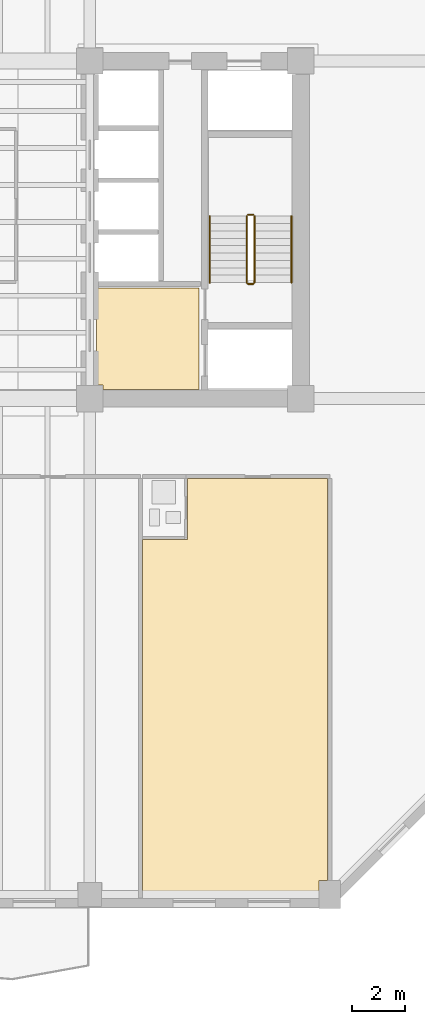
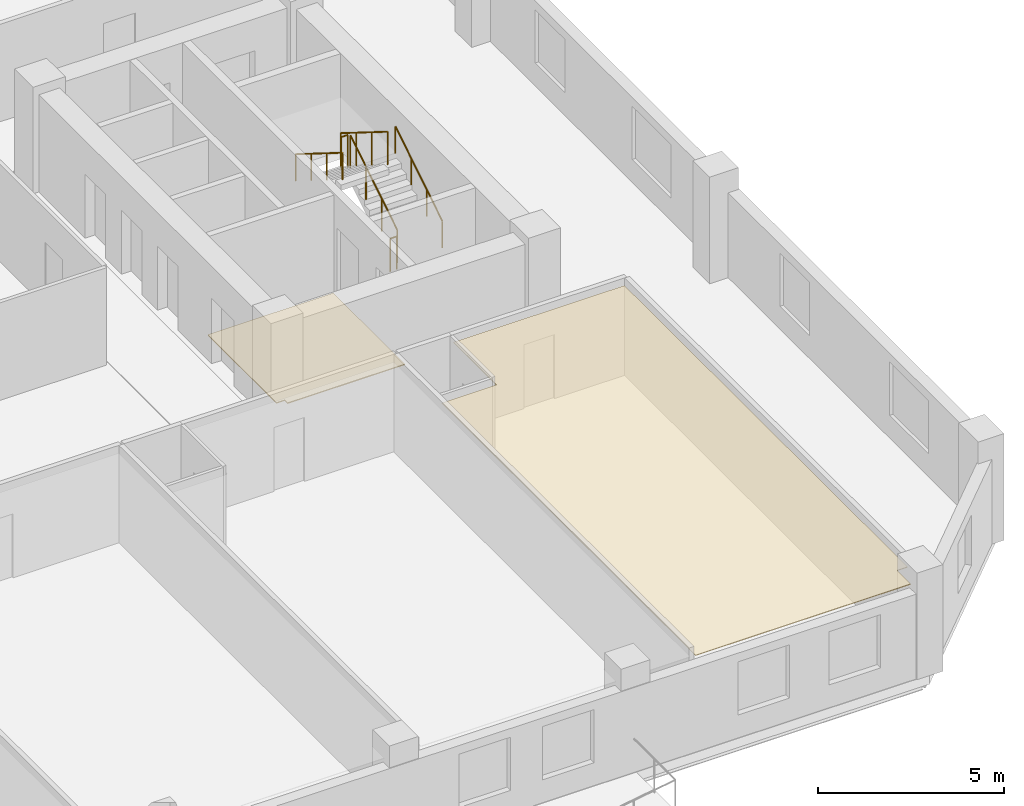
# One storey, part 8 of 10: 6 railings, 2 coverings.
"""IFC4 building model written with IfcOpenShell, lengths in metres."""

from ifc_helpers import new_model, si_unit, direction, frame, origin, origin_2d, place, context, subcontext, project, spatial, polyline, circle, outline, extrude, material, layer, layer_set, type_object, element, save


model = new_model("IFC4")

# Units and contexts
model_context = context("Model", 3, precision=1e-05, world=origin(), true_north=direction((0.0, 1.0)))
body_context = subcontext(model_context, "Body", "Model", "MODEL_VIEW")
ifc_project = project(units=[si_unit("LENGTHUNIT", "METRE"), si_unit("AREAUNIT", "SQUARE_METRE"), si_unit("VOLUMEUNIT", "CUBIC_METRE"), si_unit("PLANEANGLEUNIT", "RADIAN"), si_unit("MASSUNIT", "GRAM", prefix="KILO")], contexts=[model_context])

# Site, building, storey
site_placement = place(None, origin())
site = spatial("IfcSite", under=ifc_project, at=site_placement, CompositionType="ELEMENT")
building_placement = place(site_placement, origin())
building = spatial("IfcBuilding", under=site, at=building_placement, Name="Kranthara Brick Stack", CompositionType="ELEMENT")
storey_placement = place(building_placement, frame((0.0, 0.0, 123.800048828125)))
storey = spatial("IfcBuildingStorey", under=building, at=storey_placement, Name="L30", CompositionType="ELEMENT", Elevation=123.800048828125)

# Coverings
ifc_material_1 = material(Name="Perforated mineral-fibre acoustic ceiling tile", Category="other")
ifc_layer_1 = layer(ifc_material_1, 0.02490234375)
ifc_layer_set_1 = layer_set([ifc_layer_1], Name="Perforated mineral-fibre acoustic ceiling tile")
covering_type_1 = type_object("IfcCoveringType", Name="COV-CEIL-ACOUSTIC", PredefinedType="CEILING", material=ifc_layer_set_1)
covering_1_placement = place(storey_placement, frame((0.0, 0.0, 2.929931640625)))
element("IfcCovering", 1, at=covering_1_placement, inside=storey, type_object=covering_type_1, Name="L30 Room L30-04 Corner Junior Suite Acoustic Ceiling", PredefinedType="CEILING", context=body_context, shape_type="SweptSolid", body=[
    extrude(outline(polyline([(37.208984375, 1.800048828125), (37.208984375, 15.4599609375), (38.91015625, 15.4599609375), (38.91015625, 17.77001953125), (44.219970703125, 17.77001953125), (44.219970703125, 2.534912109375), (43.889892578125, 2.534912109375), (43.889892578125, 1.800048828125), (37.208984375, 1.800048828125)])), origin(), (0.0, 0.0, 1.0), 0.02490234375),
])
ifc_material_2 = material(Name="Honed terrazzo and porcelain floor finish", Category="stone")
ifc_layer_2 = layer(ifc_material_2, 0.030029296875)
ifc_layer_set_2 = layer_set([ifc_layer_2], Name="Honed terrazzo and porcelain floor finish")
covering_type_2 = type_object("IfcCoveringType", Name="COV-FLOR-STONE", PredefinedType="FLOORING", material=ifc_layer_set_2)
covering_2_placement = place(storey_placement, origin())
element("IfcCovering", 2, at=covering_2_placement, inside=storey, type_object=covering_type_2, Name="L30 Lift Lobby Stone Flooring", PredefinedType="FLOORING", context=body_context, shape_type="SweptSolid", body=[
    extrude(outline(polyline([(35.449951171875, 25.0), (39.35009765625, 25.0), (39.35009765625, 21.14990234375), (35.7099609375, 21.14990234375), (35.7099609375, 21.31005859375), (35.449951171875, 21.31005859375), (35.449951171875, 25.0)])), origin(), (0.0, 0.0, 1.0), 0.030029296875),
])

# Railings
ifc_material_3 = material(Name="Painted galvanized steel stair guardrail", Category="steel")
railing_type_1 = type_object("IfcRailingType", Name="RL-STAIR-GUARD-1100", PredefinedType="GUARDRAIL", material=ifc_material_3)
railing_1_placement = place(storey_placement, frame((41.449951171875, 25.199951171875, 0.175048828125)))
element("IfcRailing", 3, at=railing_1_placement, inside=storey, type_object=railing_type_1, Name="L30 ST02 stair guard 1", PredefinedType="GUARDRAIL", context=body_context, shape_type="SweptSolid", body=[
    extrude(circle(Radius=0.02392578125, at=origin_2d()), frame((0.0, 0.0, 1.076171875), z_axis=(0.0, 0.848007534815, 0.529984170421), x_axis=(-1.0, 0.0, 0.0)), (0.0, 0.0, 1.0), 2.9716796875),
    extrude(circle(Radius=0.02099609375, at=origin_2d()), origin(), (0.0, 0.0, 1.0), 1.052001953125),
    extrude(circle(Radius=0.02099609375, at=origin_2d()), frame((0.0, 0.840087890625, 0.52490234375)), (0.0, 0.0, 1.0), 1.052001953125),
    extrude(circle(Radius=0.02099609375, at=origin_2d()), frame((0.0, 1.679931640625, 1.050048828125)), (0.0, 0.0, 1.0), 1.052001953125),
    extrude(circle(Radius=0.02099609375, at=origin_2d()), frame((0.0, 2.52001953125, 1.574951171875)), (0.0, 0.0, 1.0), 1.052001953125),
])
railing_2_placement = place(storey_placement, frame((41.39990234375, 27.77001953125, 1.75)))
element("IfcRailing", 4, at=railing_2_placement, inside=storey, type_object=railing_type_1, Name="L30 ST02 stair guard 2", PredefinedType="GUARDRAIL", context=body_context, shape_type="SweptSolid", body=[
    extrude(circle(Radius=0.02392578125, at=origin_2d()), frame((0.0, 0.0, 1.076171875), z_axis=(-1.0, 0.0, 0.0), x_axis=(0.0, -1.0, 0.0)), (0.0, 0.0, 1.0), 0.199951171875),
    extrude(circle(Radius=0.02099609375, at=origin_2d()), origin(), (0.0, 0.0, 1.0), 1.052001953125),
    extrude(circle(Radius=0.02099609375, at=origin_2d()), frame((-0.199951171875, 0.0, 0.0)), (0.0, 0.0, 1.0), 1.052001953125),
])
railing_3_placement = place(storey_placement, frame((41.14990234375, 27.719970703125, 1.925048828125)))
element("IfcRailing", 5, at=railing_3_placement, inside=storey, type_object=railing_type_1, Name="L30 ST02 stair guard 3", PredefinedType="GUARDRAIL", context=body_context, shape_type="SweptSolid", body=[
    extrude(circle(Radius=0.02392578125, at=origin_2d()), frame((0.0, 0.0, 1.076171875), z_axis=(0.0, -0.848007534815, 0.529984170421), x_axis=(1.0, 0.0, 0.0)), (0.0, 0.0, 1.0), 2.9716796875),
    extrude(circle(Radius=0.02099609375, at=origin_2d()), origin(), (0.0, 0.0, 1.0), 1.052001953125),
    extrude(circle(Radius=0.02099609375, at=origin_2d()), frame((0.0, -0.840087890625, 0.52490234375)), (0.0, 0.0, 1.0), 1.052001953125),
    extrude(circle(Radius=0.02099609375, at=origin_2d()), frame((0.0, -1.679931640625, 1.050048828125)), (0.0, 0.0, 1.0), 1.052001953125),
    extrude(circle(Radius=0.02099609375, at=origin_2d()), frame((0.0, -2.52001953125, 1.574951171875)), (0.0, 0.0, 1.0), 1.052001953125),
])
railing_4_placement = place(storey_placement, frame((41.39990234375, 25.14990234375, 0.0)))
element("IfcRailing", 6, at=railing_4_placement, inside=storey, type_object=railing_type_1, Name="L30 ST02 stair guard 4", PredefinedType="GUARDRAIL", context=body_context, shape_type="SweptSolid", body=[
    extrude(circle(Radius=0.02392578125, at=origin_2d()), frame((0.0, 0.0, 1.076171875), z_axis=(-1.0, 0.0, 0.0), x_axis=(0.0, -1.0, 0.0)), (0.0, 0.0, 1.0), 0.199951171875),
    extrude(circle(Radius=0.02099609375, at=origin_2d()), origin(), (0.0, 0.0, 1.0), 1.052001953125),
    extrude(circle(Radius=0.02099609375, at=origin_2d()), frame((-0.199951171875, 0.0, 0.0)), (0.0, 0.0, 1.0), 1.052001953125),
])
ifc_material_4 = material(Name="Brushed stainless steel tubular handrail", Category="steel")
railing_type_2 = type_object("IfcRailingType", Name="RL-STAIR-HAND-900", PredefinedType="HANDRAIL", material=ifc_material_4)
railing_5_placement = place(storey_placement, frame((42.85009765625, 25.199951171875, 0.175048828125)))
element("IfcRailing", 7, at=railing_5_placement, inside=storey, type_object=railing_type_2, Name="L30 ST02 stair handrail 1", PredefinedType="HANDRAIL", context=body_context, shape_type="SweptSolid", body=[
    extrude(circle(Radius=0.02392578125, at=origin_2d()), frame((0.0, 0.0, 0.8759765625), z_axis=(0.0, 0.848007534815, 0.529984170421), x_axis=(-1.0, 0.0, 0.0)), (0.0, 0.0, 1.0), 2.9716796875),
    extrude(circle(Radius=0.02099609375, at=origin_2d()), origin(), (0.0, 0.0, 1.0), 0.851806640625),
    extrude(circle(Radius=0.02099609375, at=origin_2d()), frame((0.0, 0.840087890625, 0.52490234375)), (0.0, 0.0, 1.0), 0.851806640625),
    extrude(circle(Radius=0.02099609375, at=origin_2d()), frame((0.0, 1.679931640625, 1.050048828125)), (0.0, 0.0, 1.0), 0.851806640625),
    extrude(circle(Radius=0.02099609375, at=origin_2d()), frame((0.0, 2.52001953125, 1.574951171875)), (0.0, 0.0, 1.0), 0.851806640625),
])
railing_6_placement = place(storey_placement, frame((39.75, 27.719970703125, 1.925048828125)))
element("IfcRailing", 8, at=railing_6_placement, inside=storey, type_object=railing_type_2, Name="L30 ST02 stair handrail 2", PredefinedType="HANDRAIL", context=body_context, shape_type="SweptSolid", body=[
    extrude(circle(Radius=0.02392578125, at=origin_2d()), frame((0.0, 0.0, 0.8759765625), z_axis=(0.0, -0.848007534815, 0.529984170421), x_axis=(1.0, 0.0, 0.0)), (0.0, 0.0, 1.0), 2.9716796875),
    extrude(circle(Radius=0.02099609375, at=origin_2d()), origin(), (0.0, 0.0, 1.0), 0.851806640625),
    extrude(circle(Radius=0.02099609375, at=origin_2d()), frame((0.0, -0.840087890625, 0.52490234375)), (0.0, 0.0, 1.0), 0.851806640625),
    extrude(circle(Radius=0.02099609375, at=origin_2d()), frame((0.0, -1.679931640625, 1.050048828125)), (0.0, 0.0, 1.0), 0.851806640625),
    extrude(circle(Radius=0.02099609375, at=origin_2d()), frame((0.0, -2.52001953125, 1.574951171875)), (0.0, 0.0, 1.0), 0.851806640625),
])

save(model, "model.ifc")
